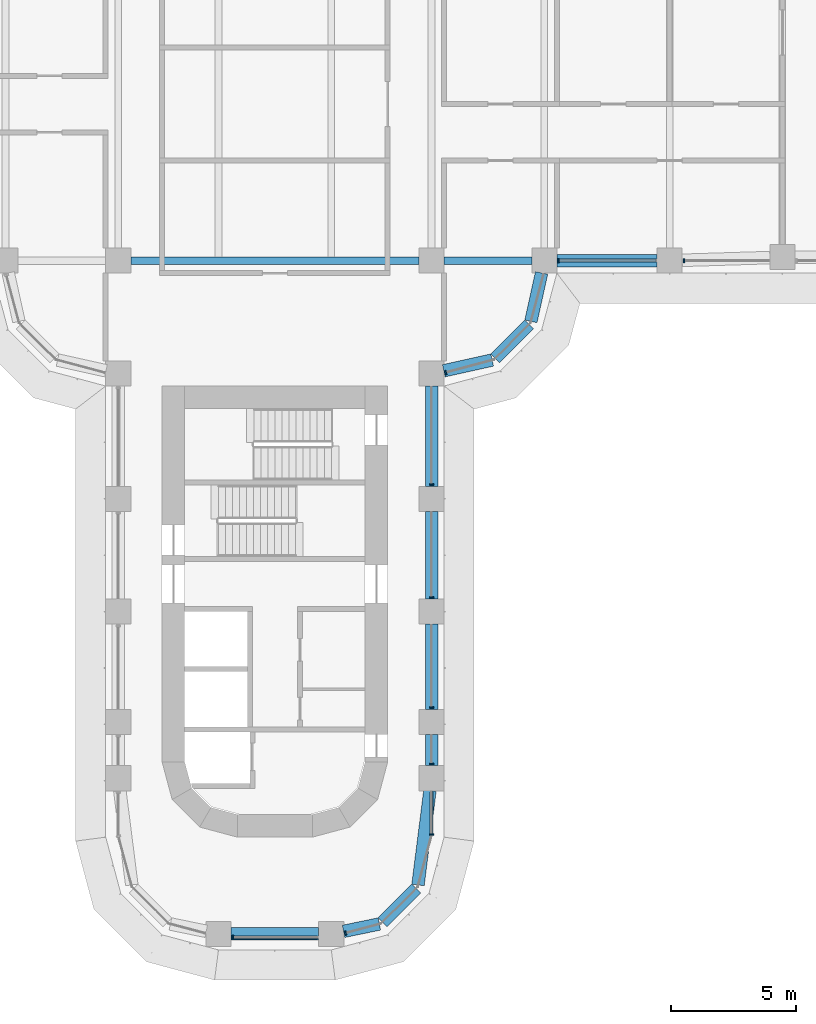
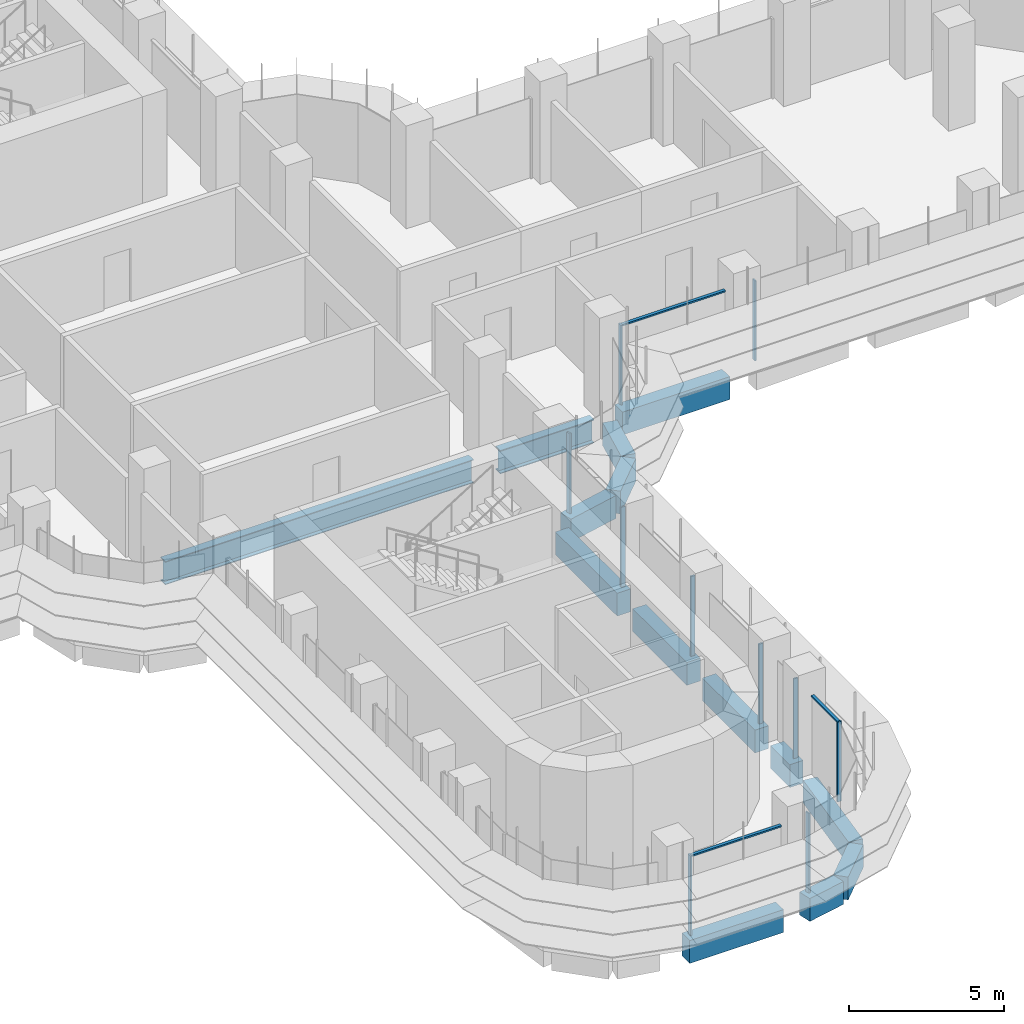
# One storey, part 4 of 23: 14 beams, 13 members, 5 elements without a shape of their own.
"""IFC4 building model written with IfcOpenShell, lengths in metres."""

from ifc_helpers import new_model, si_unit, direction, frame, origin, origin_2d, place, context, subcontext, project, spatial, polyline, rectangle, i_section, outline, extrude, source, transform, mapped, material, material_profile, profile_set, type_object, element, aggregate, save


model = new_model("IFC4")

# Units and contexts
model_context = context("Model", 3, precision=1e-05, world=origin(), true_north=direction((0.0, 1.0)))
body_context = subcontext(model_context, "Body", "Model", "MODEL_VIEW")
ifc_project = project(units=[si_unit("LENGTHUNIT", "METRE"), si_unit("AREAUNIT", "SQUARE_METRE"), si_unit("VOLUMEUNIT", "CUBIC_METRE"), si_unit("PLANEANGLEUNIT", "RADIAN"), si_unit("MASSUNIT", "GRAM", prefix="KILO")], contexts=[model_context])

# Site, building, storey
site_placement = place(None, origin())
site = spatial("IfcSite", under=ifc_project, at=site_placement, CompositionType="ELEMENT")
building_placement = place(site_placement, origin())
building = spatial("IfcBuilding", under=site, at=building_placement, Name="Zarbagh Exchange Tower", CompositionType="ELEMENT")
storey_placement = place(building_placement, frame((0.0, 0.0, 77.39990234375)))
storey = spatial("IfcBuildingStorey", under=building, at=storey_placement, Name="L17", CompositionType="ELEMENT", Elevation=77.39990234375)

# Beams
ifc_material_1 = material(Name="Steel ASTM A992 Gr 50", Category="steel")
ifc_material_profile_1 = material_profile(ifc_material_1, i_section(OverallWidth=0.3046875, OverallDepth=0.91943359375, WebThickness=0.017333984375, FlangeThickness=0.02783203125, at=origin_2d()), Name="W36X170")
ifc_profile_set_1 = profile_set([ifc_material_profile_1], Name="Steel ASTM A992 Gr 50")
beam_type_1 = type_object("IfcBeamType", Name="Floor girder W36X170", PredefinedType="BEAM", material=ifc_profile_set_1)
beam_1_placement = place(storey_placement, frame((-5.75, -6.25, -0.609619140625), z_axis=(1.0, 0.0, 0.0), x_axis=(0.0, 1.0, 0.0)))
element("IfcBeam", 1, at=beam_1_placement, inside=storey, type_object=beam_type_1, Name="Steel girder", PredefinedType="BEAM", context=body_context, shape_type="SweptSolid", body=[
    extrude(i_section(OverallWidth=0.3046875, OverallDepth=0.91943359375, WebThickness=0.017333984375, FlangeThickness=0.02783203125, at=origin_2d()), origin(), (0.0, 0.0, 1.0), 11.5),
])
beam_2_placement = place(storey_placement, frame((6.75, -6.25, -0.609619140625), z_axis=(1.0, 0.0, 0.0), x_axis=(0.0, 1.0, 0.0)))
element("IfcBeam", 2, at=beam_2_placement, inside=storey, type_object=beam_type_1, Name="Steel girder", PredefinedType="BEAM", context=body_context, shape_type="SweptSolid", body=[
    extrude(i_section(OverallWidth=0.3046875, OverallDepth=0.91943359375, WebThickness=0.017333984375, FlangeThickness=0.02783203125, at=origin_2d()), origin(), (0.0, 0.0, 1.0), 3.5),
])
ifc_material_2 = material(Name="Concrete C60/75", Category="concrete")
ifc_material_profile_2 = material_profile(ifc_material_2, rectangle(XDim=0.5, YDim=0.89990234375, at=origin_2d()), Name="RC spandrel beam 500 x 900 C60/75")
ifc_profile_set_2 = profile_set([ifc_material_profile_2], Name="Concrete C60/75")
beam_type_2 = type_object("IfcBeamType", Name="RC spandrel beam 500 x 900 C60/75", PredefinedType="SPANDREL", material=ifc_profile_set_2)
beam_3_placement = place(storey_placement, frame((15.25, -6.25, -0.599853515625), z_axis=(-1.0, 0.0, 0.0), x_axis=(0.0, -1.0, 0.0)))
element("IfcBeam", 3, at=beam_3_placement, inside=storey, type_object=beam_type_2, Name="RC spandrel beam", PredefinedType="SPANDREL", context=body_context, shape_type="SweptSolid", body=[
    extrude(rectangle(XDim=0.5, YDim=0.89990234375, at=origin_2d()), origin(), (0.0, 0.0, 1.0), 4.0),
])
beam_4_placement = place(storey_placement, frame((10.64208984375, -6.73828125, -0.599853515625), z_axis=(-0.216081063242, -0.976375426825, 0.0), x_axis=(0.976375426825, -0.216081063242, 0.0)))
element("IfcBeam", 4, at=beam_4_placement, inside=storey, type_object=beam_type_2, Name="RC spandrel beam", PredefinedType="SPANDREL", context=body_context, shape_type="SweptSolid", body=[
    extrude(rectangle(XDim=0.5, YDim=0.89990234375, at=origin_2d()), origin(), (0.0, 0.0, 1.0), 1.978271484375),
])
beam_5_placement = place(storey_placement, frame((10.147216796875, -8.792724609375, -0.599853515625), z_axis=(-0.707106781187, -0.707106781187, 0.0), x_axis=(0.707106781187, -0.707106781187, 0.0)))
element("IfcBeam", 5, at=beam_5_placement, inside=storey, type_object=beam_type_2, Name="RC spandrel beam", PredefinedType="SPANDREL", context=body_context, shape_type="SweptSolid", body=[
    extrude(rectangle(XDim=0.5, YDim=0.89990234375, at=origin_2d()), origin(), (0.0, 0.0, 1.0), 1.91552734375),
])
beam_6_placement = place(storey_placement, frame((8.669921875, -10.214599609375, -0.599853515625), z_axis=(-0.976375426825, -0.216081063242, 0.0), x_axis=(0.216081063242, -0.976375426825, 0.0)))
element("IfcBeam", 6, at=beam_6_placement, inside=storey, type_object=beam_type_2, Name="RC spandrel beam", PredefinedType="SPANDREL", context=body_context, shape_type="SweptSolid", body=[
    extrude(rectangle(XDim=0.5, YDim=0.89990234375, at=origin_2d()), origin(), (0.0, 0.0, 1.0), 1.978271484375),
])
beam_7_placement = place(storey_placement, frame((6.25, -11.25, -0.599853515625), z_axis=(0.0, -1.0, 0.0), x_axis=(1.0, 0.0, 0.0)))
element("IfcBeam", 7, at=beam_7_placement, inside=storey, type_object=beam_type_2, Name="RC spandrel beam", PredefinedType="SPANDREL", context=body_context, shape_type="SweptSolid", body=[
    extrude(rectangle(XDim=0.5, YDim=0.89990234375, at=origin_2d()), origin(), (0.0, 0.0, 1.0), 4.0),
])
beam_8_placement = place(storey_placement, frame((6.25, -16.25, -0.599853515625), z_axis=(0.0, -1.0, 0.0), x_axis=(1.0, 0.0, 0.0)))
element("IfcBeam", 8, at=beam_8_placement, inside=storey, type_object=beam_type_2, Name="RC spandrel beam", PredefinedType="SPANDREL", context=body_context, shape_type="SweptSolid", body=[
    extrude(rectangle(XDim=0.5, YDim=0.89990234375, at=origin_2d()), origin(), (0.0, 0.0, 1.0), 3.5),
])
beam_9_placement = place(storey_placement, frame((6.25, -20.75, -0.599853515625), z_axis=(0.0, -1.0, 0.0), x_axis=(1.0, 0.0, 0.0)))
element("IfcBeam", 9, at=beam_9_placement, inside=storey, type_object=beam_type_2, Name="RC spandrel beam", PredefinedType="SPANDREL", context=body_context, shape_type="SweptSolid", body=[
    extrude(rectangle(XDim=0.5, YDim=0.89990234375, at=origin_2d()), origin(), (0.0, 0.0, 1.0), 3.39990234375),
])
beam_10_placement = place(storey_placement, frame((6.25, -25.14990234375, -0.599853515625), z_axis=(0.0, -1.0, 0.0), x_axis=(1.0, 0.0, 0.0)))
element("IfcBeam", 10, at=beam_10_placement, inside=storey, type_object=beam_type_2, Name="RC spandrel beam", PredefinedType="SPANDREL", context=body_context, shape_type="SweptSolid", body=[
    extrude(rectangle(XDim=0.5, YDim=0.89990234375, at=origin_2d()), origin(), (0.0, 0.0, 1.0), 1.25),
])
beam_11_placement = place(storey_placement, frame((6.18701171875, -27.39599609375, -0.599853515625), z_axis=(-0.12591317752, -0.992041265133, 0.0), x_axis=(0.992041265133, -0.12591317752, 0.0)))
element("IfcBeam", 11, at=beam_11_placement, inside=storey, type_object=beam_type_2, Name="RC spandrel beam", PredefinedType="SPANDREL", context=body_context, shape_type="SweptSolid", body=[
    extrude(rectangle(XDim=0.5, YDim=0.89990234375, at=origin_2d()), origin(), (0.0, 0.0, 1.0), 3.790771484375),
])
beam_12_placement = place(storey_placement, frame((5.638427734375, -31.301513671875, -0.599853515625), z_axis=(-0.707042571718, -0.707170984825, 0.0), x_axis=(0.707170984825, -0.707042571718, 0.0)))
element("IfcBeam", 12, at=beam_12_placement, inside=storey, type_object=beam_type_2, Name="RC spandrel beam", PredefinedType="SPANDREL", context=body_context, shape_type="SweptSolid", body=[
    extrude(rectangle(XDim=0.5, YDim=0.89990234375, at=origin_2d()), origin(), (0.0, 0.0, 1.0), 1.901123046875),
])
beam_13_placement = place(storey_placement, frame((4.16796875, -32.714111328125, -0.599853515625), z_axis=(-0.9793713725, -0.202068589164, 0.0), x_axis=(0.202068589164, -0.9793713725, 0.0)))
element("IfcBeam", 13, at=beam_13_placement, inside=storey, type_object=beam_type_2, Name="RC spandrel beam", PredefinedType="SPANDREL", context=body_context, shape_type="SweptSolid", body=[
    extrude(rectangle(XDim=0.5, YDim=0.89990234375, at=origin_2d()), origin(), (0.0, 0.0, 1.0), 1.458251953125),
])
beam_14_placement = place(storey_placement, frame((1.75, -33.110107421875, -0.599853515625), z_axis=(-1.0, 0.0, 0.0), x_axis=(0.0, -1.0, 0.0)))
element("IfcBeam", 14, at=beam_14_placement, inside=storey, type_object=beam_type_2, Name="RC spandrel beam", PredefinedType="SPANDREL", context=body_context, shape_type="SweptSolid", body=[
    extrude(rectangle(XDim=0.5, YDim=0.89990234375, at=origin_2d()), origin(), (0.0, 0.0, 1.0), 3.5),
])

# Curtain wall, member
ifc_material_3 = material(Name="Anodised aluminium frame and glazing", Category="aluminium")
curtain_wall_type = type_object("IfcCurtainWallType", Name="CWA Ribbon glazing, lower zones", PredefinedType="NOTDEFINED", material=ifc_material_3)
curtain_wall_1_placement = place(storey_placement, origin())
curtain_wall_1 = element("IfcCurtainWall", 15, at=curtain_wall_1_placement, inside=storey, type_object=curtain_wall_type, Name="CWA01 curtain wall", PredefinedType="NOTDEFINED")
ifc_material_4 = material(Name="Anodised aluminium frame", Category="aluminium")
member_type_1 = type_object("IfcMemberType", Name="MUA Mullion, anodised aluminium frame", PredefinedType="MULLION", material=ifc_material_4)
shared_shape_1 = source(origin(), body_context, "Body", "SweptSolid", [
    extrude(outline(polyline([(0.0, -0.080078125), (0.06005859375, -0.080078125), (0.06005859375, 0.080078125), (0.0, 0.080078125), (0.0, -0.080078125)])), origin(), (0.0, 0.0, 1.0), 3.14990234375),
])
placement = place(storey_placement, origin())
member_1 = element("IfcMember", 16, at=placement, type_object=member_type_1, Name="CWA01 mullion 1.1", PredefinedType="MULLION", context=body_context, shape_type="MappedRepresentation", body=[
    mapped(shared_shape_1, transform((2.7900390625, -33.087646484375, 0.0), x_axis=(0.965924289636, 0.258824779902, 0.0), y_axis=(-0.258824779902, 0.965924289636, 0.0), z_axis=(0.0, 0.0, 1.0))),
])
aggregate(curtain_wall_1, [member_1])

# Curtain wall, members
curtain_wall_2_placement = place(storey_placement, origin())
curtain_wall_2 = element("IfcCurtainWall", 17, at=curtain_wall_2_placement, inside=storey, type_object=curtain_wall_type, Name="CWA04 curtain wall", PredefinedType="NOTDEFINED")
member_2 = element("IfcMember", 18, at=placement, type_object=member_type_1, Name="CWA04 mullion 1.1", PredefinedType="MULLION", context=body_context, shape_type="MappedRepresentation", body=[
    mapped(shared_shape_1, transform((6.25, -29.18408203125, 0.0), x_axis=(0.0, 1.0, 0.0), y_axis=(-1.0, 0.0, 0.0), z_axis=(0.0, 0.0, 1.0))),
])
member_3 = element("IfcMember", 19, at=placement, type_object=member_type_1, Name="CWA04 mullion 2.1", PredefinedType="MULLION", context=body_context, shape_type="MappedRepresentation", body=[
    mapped(shared_shape_1, transform((6.25, -26.35986328125, 0.0), x_axis=(0.0, 1.0, 0.0), y_axis=(-1.0, 0.0, 0.0), z_axis=(0.0, 0.0, 1.0))),
])
member_4 = element("IfcMember", 20, at=placement, type_object=member_type_1, Name="CWA04 mullion 3.1", PredefinedType="MULLION", context=body_context, shape_type="MappedRepresentation", body=[
    mapped(shared_shape_1, transform((6.25, -24.10986328125, 0.0), x_axis=(0.0, 1.0, 0.0), y_axis=(-1.0, 0.0, 0.0), z_axis=(0.0, 0.0, 1.0))),
])
member_5 = element("IfcMember", 21, at=placement, type_object=member_type_1, Name="CWA04 mullion 4.1", PredefinedType="MULLION", context=body_context, shape_type="MappedRepresentation", body=[
    mapped(shared_shape_1, transform((6.25, -19.7099609375, 0.0), x_axis=(0.0, 1.0, 0.0), y_axis=(-1.0, 0.0, 0.0), z_axis=(0.0, 0.0, 1.0))),
])
member_6 = element("IfcMember", 22, at=placement, type_object=member_type_1, Name="CWA04 mullion 5.1", PredefinedType="MULLION", context=body_context, shape_type="MappedRepresentation", body=[
    mapped(shared_shape_1, transform((6.25, -15.2099609375, 0.0), x_axis=(0.0, 1.0, 0.0), y_axis=(-1.0, 0.0, 0.0), z_axis=(0.0, 0.0, 1.0))),
])

# Curtain wall, member
curtain_wall_3_placement = place(storey_placement, origin())
curtain_wall_3 = element("IfcCurtainWall", 23, at=curtain_wall_3_placement, inside=storey, type_object=curtain_wall_type, Name="CWA05 curtain wall", PredefinedType="NOTDEFINED")
member_7 = element("IfcMember", 24, at=placement, type_object=member_type_1, Name="CWA05 mullion 1.1", PredefinedType="MULLION", context=body_context, shape_type="MappedRepresentation", body=[
    mapped(shared_shape_1, transform((6.7900390625, -10.7216796875, 0.0), x_axis=(0.965924289636, 0.258824779902, 0.0), y_axis=(-0.258824779902, 0.965924289636, 0.0), z_axis=(0.0, 0.0, 1.0))),
])
aggregate(curtain_wall_3, [member_7])

# Curtain wall, members
curtain_wall_4_placement = place(storey_placement, origin())
curtain_wall_4 = element("IfcCurtainWall", 25, at=curtain_wall_4_placement, inside=storey, type_object=curtain_wall_type, Name="CWA08 curtain wall", PredefinedType="NOTDEFINED")
member_8 = element("IfcMember", 26, at=placement, type_object=member_type_1, Name="CWA08 mullion 1.1", PredefinedType="MULLION", context=body_context, shape_type="MappedRepresentation", body=[
    mapped(shared_shape_1, transform((11.2900390625, -6.25, 0.0), x_axis=(1.0, 0.0, 0.0), y_axis=(0.0, 1.0, 0.0), z_axis=(0.0, 0.0, 1.0))),
])
member_9 = element("IfcMember", 27, at=placement, type_object=member_type_1, Name="CWA08 mullion 2.1", PredefinedType="MULLION", context=body_context, shape_type="MappedRepresentation", body=[
    mapped(shared_shape_1, transform((16.2900390625, -6.25, 0.0), x_axis=(1.0, 0.0, 0.0), y_axis=(0.0, 1.0, 0.0), z_axis=(0.0, 0.0, 1.0))),
])

# Curtain wall, member
curtain_wall_5_placement = place(storey_placement, origin())
curtain_wall_5 = element("IfcCurtainWall", 28, at=curtain_wall_5_placement, inside=storey, type_object=curtain_wall_type, Name="CWA48 curtain wall", PredefinedType="NOTDEFINED")
member_10 = element("IfcMember", 29, at=placement, type_object=member_type_1, Name="CWA48 mullion 1.1", PredefinedType="MULLION", context=body_context, shape_type="MappedRepresentation", body=[
    mapped(shared_shape_1, transform((-1.7099609375, -33.25, 0.0), x_axis=(1.0, 0.0, 0.0), y_axis=(0.0, 1.0, 0.0), z_axis=(0.0, 0.0, 1.0))),
])

# Member
member_type_2 = type_object("IfcMemberType", Name="TRA Transom, anodised aluminium frame", PredefinedType="USERDEFINED", material=ifc_material_4)
shared_shape_2 = source(origin(), body_context, "Body", "SweptSolid", [
    extrude(outline(polyline([(-0.06005859375, -0.06005859375), (0.0, -0.06005859375), (0.0, 0.06005859375), (-0.06005859375, 0.06005859375), (-0.06005859375, -0.06005859375)])), origin(), (0.0, 0.0, 1.0), 1.68408203125),
])
member_11 = element("IfcMember", 30, at=placement, type_object=member_type_2, Name="CWA04 transom 1.1", ObjectType="TRANSOM", PredefinedType="USERDEFINED", context=body_context, shape_type="MappedRepresentation", body=[
    mapped(shared_shape_2, transform((6.25, -29.124267578125, 3.150146484375), x_axis=(0.0, 0.0, 1.0), y_axis=(1.0, 0.0, 0.0), z_axis=(0.0, 1.0, 0.0))),
])

aggregate(curtain_wall_2, [member_2, member_11, member_3, member_4, member_5, member_6])

shared_shape_3 = source(origin(), body_context, "Body", "SweptSolid", [
    extrude(outline(polyline([(-0.06005859375, -0.06005859375), (0.0, -0.06005859375), (0.0, 0.06005859375), (-0.06005859375, 0.06005859375), (-0.06005859375, -0.06005859375)])), origin(), (0.0, 0.0, 1.0), 3.860107421875),
])
member_12 = element("IfcMember", 31, at=placement, type_object=member_type_2, Name="CWA08 transom 1.1", ObjectType="TRANSOM", PredefinedType="USERDEFINED", context=body_context, shape_type="MappedRepresentation", body=[
    mapped(shared_shape_3, transform((11.35009765625, -6.25, 3.150146484375), x_axis=(0.0, 0.0, 1.0), y_axis=(0.0, -1.0, 0.0), z_axis=(1.0, 0.0, 0.0))),
])

aggregate(curtain_wall_4, [member_8, member_12, member_9])

shared_shape_4 = source(origin(), body_context, "Body", "SweptSolid", [
    extrude(outline(polyline([(-0.06005859375, -0.06005859375), (0.0, -0.06005859375), (0.0, 0.06005859375), (-0.06005859375, 0.06005859375), (-0.06005859375, -0.06005859375)])), origin(), (0.0, 0.0, 1.0), 3.360107421875),
])
member_13 = element("IfcMember", 32, at=placement, type_object=member_type_2, Name="CWA48 transom 1.1", ObjectType="TRANSOM", PredefinedType="USERDEFINED", context=body_context, shape_type="MappedRepresentation", body=[
    mapped(shared_shape_4, transform((-1.64990234375, -33.25, 3.150146484375), x_axis=(0.0, 0.0, 1.0), y_axis=(0.0, -1.0, 0.0), z_axis=(1.0, 0.0, 0.0))),
])

aggregate(curtain_wall_5, [member_10, member_13])

save(model, "model.ifc")
